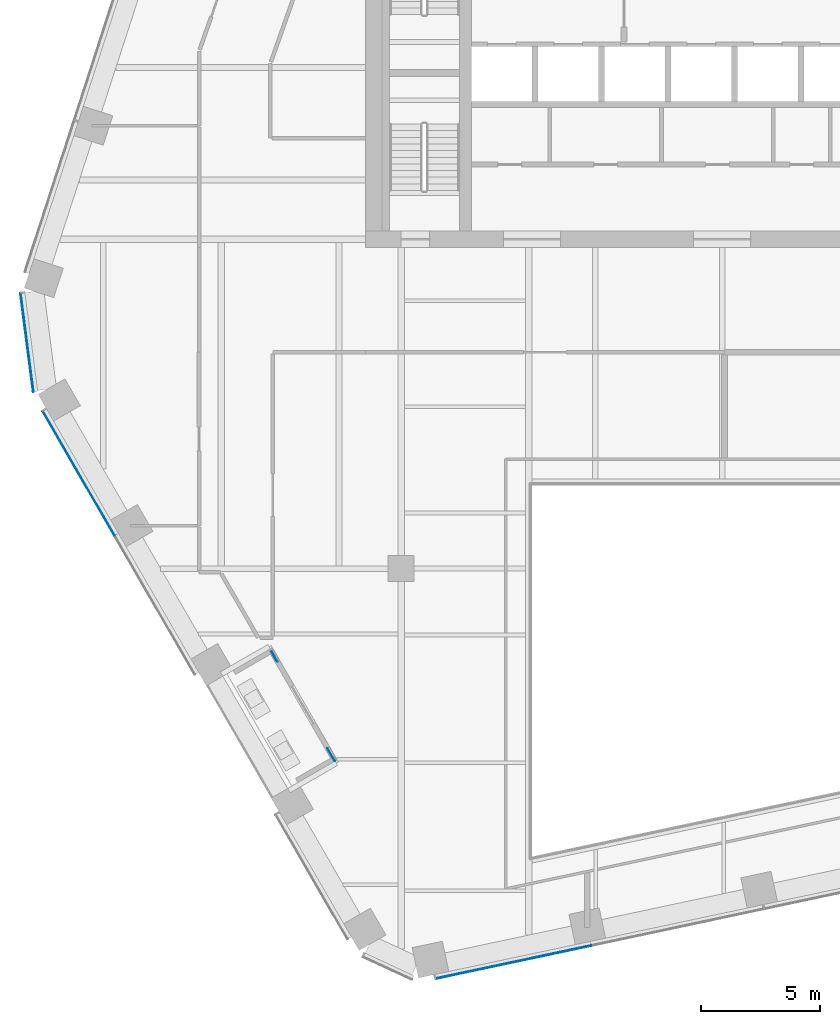
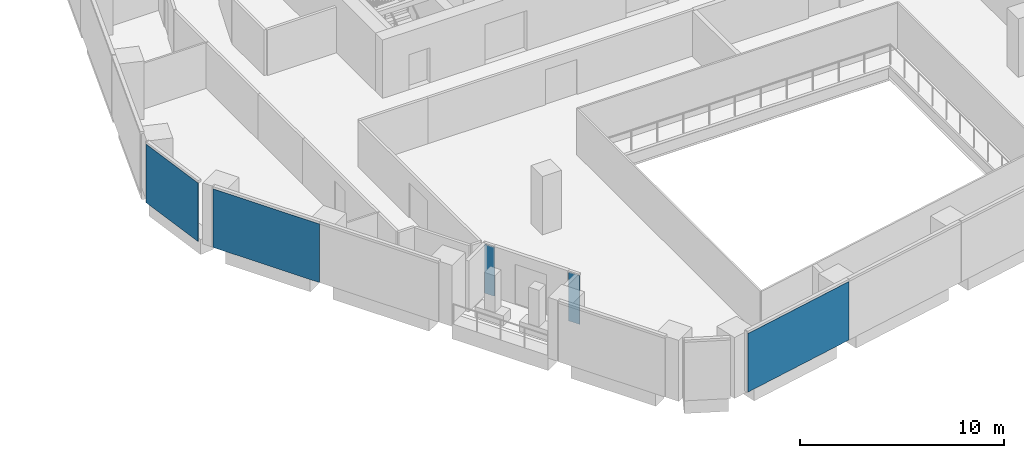
# One storey, part 13 of 26: 5 plates, 4 elements without a shape of their own.
"""IFC4 building model written with IfcOpenShell, lengths in metres."""

from ifc_helpers import new_model, si_unit, direction, frame, origin, origin_2d, place, context, subcontext, project, spatial, rectangle, extrude, material, layer, layer_set, type_object, element, aggregate, save


model = new_model("IFC4")

# Units and contexts
model_context = context("Model", 3, precision=1e-05, world=origin(), true_north=direction((0.0, 1.0)))
body_context = subcontext(model_context, "Body", "Model", "MODEL_VIEW")
ifc_project = project(units=[si_unit("LENGTHUNIT", "METRE"), si_unit("AREAUNIT", "SQUARE_METRE"), si_unit("VOLUMEUNIT", "CUBIC_METRE"), si_unit("PLANEANGLEUNIT", "RADIAN"), si_unit("MASSUNIT", "GRAM", prefix="KILO")], contexts=[model_context])

# Site, building, storey
site_placement = place(None, origin())
site = spatial("IfcSite", under=ifc_project, at=site_placement, CompositionType="ELEMENT")
building_placement = place(site_placement, origin())
building = spatial("IfcBuilding", under=site, at=building_placement, Name="Isthmus Gate Tower", CompositionType="ELEMENT")
storey_placement = place(building_placement, frame((0.0, 0.0, 189.050048828125)))
storey = spatial("IfcBuildingStorey", under=building, at=storey_placement, Name="L47", CompositionType="ELEMENT", Elevation=189.050048828125)

# Curtain wall, plate
ifc_material_1 = material(Name="Aluminium, pale champagne anodised", Category="aluminium")
ifc_layer_1 = layer(ifc_material_1, 0.199951171875)
ifc_layer_set_1 = layer_set([ifc_layer_1], Name="CW-1 UNITISED CURTAIN WALL 200 DEEP")
curtain_wall_type_1 = type_object("IfcCurtainWallType", Name="CW-1 UNITISED CURTAIN WALL 200 DEEP", PredefinedType="NOTDEFINED", material=ifc_layer_set_1)
curtain_wall_1_placement = place(storey_placement, origin())
curtain_wall_1 = element("IfcCurtainWall", 1, at=curtain_wall_1_placement, inside=storey, type_object=curtain_wall_type_1, Name="CW-1 NW-SW L47", PredefinedType="NOTDEFINED")
ifc_material_2 = material(Name="Laminated low-iron glass, pale blue tint", Category="glass")
ifc_layer_2 = layer(ifc_material_2, 0.035888671875)
ifc_layer_set_2 = layer_set([ifc_layer_2], Name="CW-1 CLEAR GLASS LITE 36")
plate_type_1 = type_object("IfcPlateType", Name="CW-1 CLEAR GLASS LITE 36", PredefinedType="CURTAIN_PANEL", material=ifc_layer_set_2)
plate_1_placement = place(storey_placement, frame((-29.234619140625, -3.9990234375, 0.0), z_axis=(0.0, 0.0, 1.0), x_axis=(0.129164534, -0.991623175988, 0.0)))
plate_1 = element("IfcPlate", 2, at=plate_1_placement, type_object=plate_type_1, Name="CW-1 glass lite", PredefinedType="CURTAIN_PANEL", context=body_context, shape_type="SweptSolid", body=[
    extrude(rectangle(XDim=4.181396484375, YDim=0.035888671875, at=origin_2d()), origin(), (0.0, 0.0, 1.0), 3.510009765625),
])
aggregate(curtain_wall_1, [plate_1])

curtain_wall_2_placement = place(storey_placement, origin())
curtain_wall_2 = element("IfcCurtainWall", 3, at=curtain_wall_2_placement, inside=storey, type_object=curtain_wall_type_1, Name="CW-1 SW L47", PredefinedType="NOTDEFINED")
plate_2_placement = place(storey_placement, frame((-27.060546875, -9.49365234375, 0.0), z_axis=(0.0, 0.0, 1.0), x_axis=(0.5, -0.866025403784, 0.0)))
plate_2 = element("IfcPlate", 4, at=plate_2_placement, type_object=plate_type_1, Name="CW-1 glass lite", PredefinedType="CURTAIN_PANEL", context=body_context, shape_type="SweptSolid", body=[
    extrude(rectangle(XDim=6.0400390625, YDim=0.035888671875, at=origin_2d()), origin(), (0.0, 0.0, 1.0), 3.510009765625),
])
aggregate(curtain_wall_2, [plate_2])

curtain_wall_3_placement = place(storey_placement, origin())
curtain_wall_3 = element("IfcCurtainWall", 5, at=curtain_wall_3_placement, inside=storey, type_object=curtain_wall_type_1, Name="CW-1 S L47", PredefinedType="NOTDEFINED")
plate_3_placement = place(storey_placement, frame((-8.768798828125, -30.050048828125, 0.0), z_axis=(0.0, 0.0, 1.0), x_axis=(0.978147600734, 0.207911690818, 0.0)))
plate_3 = element("IfcPlate", 6, at=plate_3_placement, type_object=plate_type_1, Name="CW-1 glass lite", PredefinedType="CURTAIN_PANEL", context=body_context, shape_type="SweptSolid", body=[
    extrude(rectangle(XDim=6.680908203125, YDim=0.035888671875, at=origin_2d()), origin(), (0.0, 0.0, 1.0), 3.510009765625),
])
aggregate(curtain_wall_3, [plate_3])

# Curtain wall, plates
ifc_material_3 = material(Name="Aluminium, pale champagne anodised", Category="aluminium")
ifc_layer_3 = layer(ifc_material_3, 0.14990234375)
ifc_layer_set_3 = layer_set([ifc_layer_3], Name="CW-6 LOGGIA BACK WALL GLAZING 150 DEEP")
curtain_wall_type_2 = type_object("IfcCurtainWallType", Name="CW-6 LOGGIA BACK WALL GLAZING 150 DEEP", PredefinedType="NOTDEFINED", material=ifc_layer_set_3)
curtain_wall_4_placement = place(storey_placement, origin())
curtain_wall_4 = element("IfcCurtainWall", 7, at=curtain_wall_4_placement, inside=storey, type_object=curtain_wall_type_2, Name="CW-6 SW L47", PredefinedType="NOTDEFINED")
ifc_material_4 = material(Name="Laminated low-iron glass, clear", Category="glass")
ifc_layer_4 = layer(ifc_material_4, 0.031982421875)
ifc_layer_set_4 = layer_set([ifc_layer_4], Name="CW-6 CLEAR GLASS LITE 32")
plate_type_2 = type_object("IfcPlateType", Name="CW-6 CLEAR GLASS LITE 32", PredefinedType="CURTAIN_PANEL", material=ifc_layer_set_4)
plate_4_placement = place(storey_placement, frame((-18.8369140625, -17.173583984375, 0.0), z_axis=(0.0, 0.0, 1.0), x_axis=(0.5, -0.866025403784, 0.0)))
plate_4 = element("IfcPlate", 8, at=plate_4_placement, type_object=plate_type_2, Name="CW-6 glass lite", PredefinedType="CURTAIN_PANEL", context=body_context, shape_type="SweptSolid", body=[
    extrude(rectangle(XDim=0.565185546875, YDim=0.031982421875, at=origin_2d()), origin(), (0.0, 0.0, 1.0), 2.929931640625),
])
plate_5_placement = place(storey_placement, frame((-16.439453125, -21.326171875, 0.0), z_axis=(0.0, 0.0, 1.0), x_axis=(0.5, -0.866025403784, 0.0)))
plate_5 = element("IfcPlate", 9, at=plate_5_placement, type_object=plate_type_2, Name="CW-6 glass lite", PredefinedType="CURTAIN_PANEL", context=body_context, shape_type="SweptSolid", body=[
    extrude(rectangle(XDim=0.625, YDim=0.031982421875, at=origin_2d()), origin(), (0.0, 0.0, 1.0), 2.929931640625),
])
aggregate(curtain_wall_4, [plate_4, plate_5])

save(model, "model.ifc")
